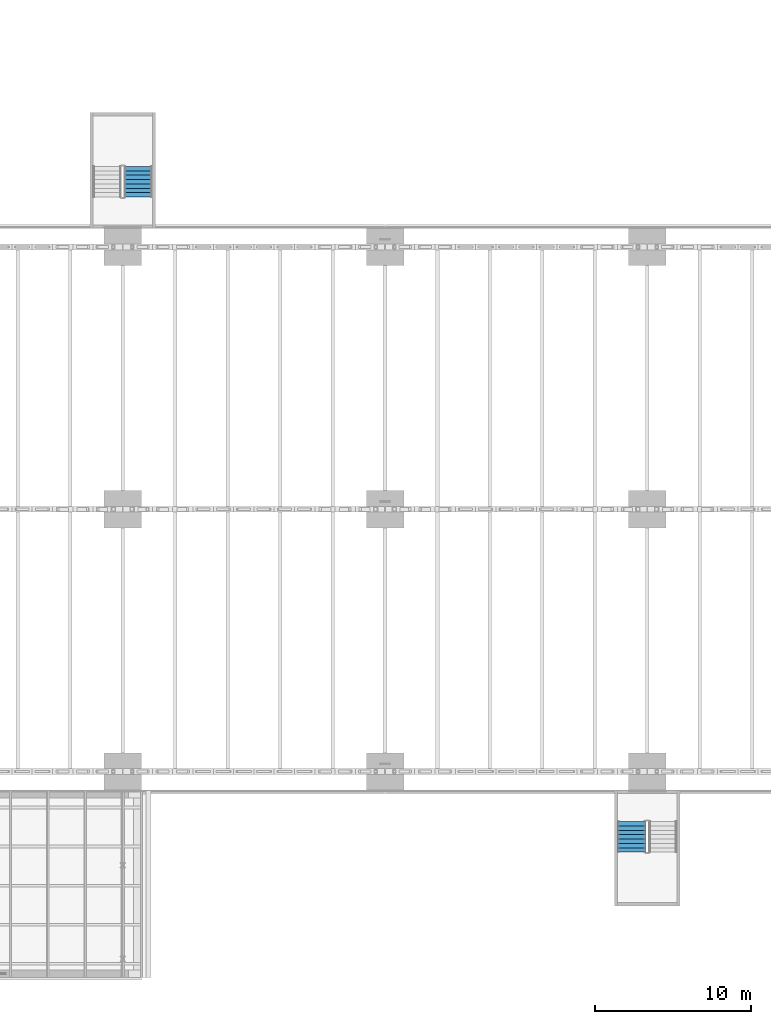
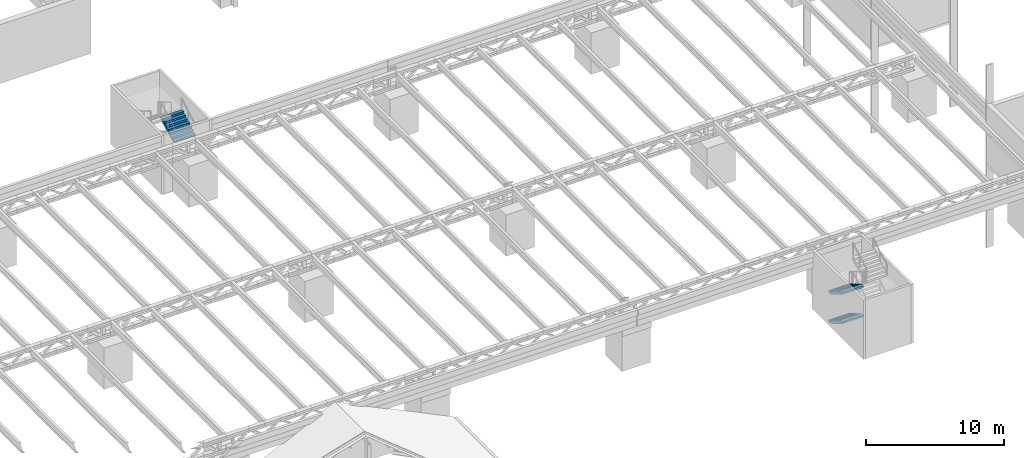
# One storey, part 75 of 93: 3 stair flights, 2 elements without a shape of their own.
"""IFC4 building model written with IfcOpenShell, lengths in metres."""

from ifc_helpers import new_model, si_unit, direction, frame, origin, place, context, subcontext, project, spatial, polygons, material, type_object, element, aggregate, save


model = new_model("IFC4")

# Units and contexts
model_context = context("Model", 3, precision=1e-05, world=origin(), true_north=direction((0.0, 1.0)))
body_context = subcontext(model_context, "Body", "Model", "MODEL_VIEW")
ifc_project = project(units=[si_unit("LENGTHUNIT", "METRE"), si_unit("AREAUNIT", "SQUARE_METRE"), si_unit("VOLUMEUNIT", "CUBIC_METRE"), si_unit("PLANEANGLEUNIT", "RADIAN"), si_unit("MASSUNIT", "GRAM", prefix="KILO")], contexts=[model_context])

# Site, building, storey
site_placement = place(None, origin())
site = spatial("IfcSite", under=ifc_project, at=site_placement, CompositionType="ELEMENT")
building_placement = place(site_placement, origin())
building = spatial("IfcBuilding", under=site, at=building_placement, Name="Verrick Yard Athletic Hall", CompositionType="ELEMENT")
storey_placement = place(building_placement, frame((0.0, 0.0, 8.800048828125)))
storey = spatial("IfcBuildingStorey", under=building, at=storey_placement, Name="L02", CompositionType="ELEMENT", Elevation=8.800048828125)

# Stair, stair flight
ifc_material = material(Name="Concrete 35 MPa", Category="concrete")
stair_type = type_object("IfcStairType", Name="Stair ST4 1800 wide 32 risers", PredefinedType="HALF_TURN_STAIR", material=ifc_material)
stair_1_placement = place(storey_placement, origin())
stair_1 = element("IfcStair", 1, at=stair_1_placement, inside=storey, type_object=stair_type, Name="North deck escape 2 stair L02", PredefinedType="HALF_TURN_STAIR")
stair_flight_type = type_object("IfcStairFlightType", Name="Stair flight SF4 1800 wide 8 risers", PredefinedType="STRAIGHT", material=ifc_material)
stair_flight_1_placement = place(storey_placement, frame((108.199951171875, 56.0, 2.599853515625), z_axis=(0.0, 0.0, 1.0), x_axis=(0.0, 1.0, 0.0)))
stair_flight_1 = element("IfcStairFlight", 2, at=stair_flight_1_placement, type_object=stair_flight_type, Name="ST4 flight 3", NumberOfRisers=8, NumberOfTreads=7, PredefinedType="STRAIGHT", RiserHeight=0.1625, TreadLength=0.28, context=body_context, shape_type="Tessellation", body=[
    polygons([(0.2986404620805121, -0.89990234375, 0.0), (1.9600000000000002, -0.89990234375, 0.9641818746854172), (1.9600000000000002, -0.89990234375, 1.1375), (1.6800000000000002, -0.89990234375, 1.1375), (1.6800000000000002, -0.89990234375, 0.9750000000000001), (1.4000000000000001, -0.89990234375, 0.9750000000000001), (1.4000000000000001, -0.89990234375, 0.8125), (1.12, -0.89990234375, 0.8125), (1.12, -0.89990234375, 0.65), (0.8400000000000001, -0.89990234375, 0.65), (0.8400000000000001, -0.89990234375, 0.48750000000000004), (0.56, -0.89990234375, 0.48750000000000004), (0.56, -0.89990234375, 0.325), (0.28, -0.89990234375, 0.325), (0.28, -0.89990234375, 0.1625), (0.0, -0.89990234375, 0.1625), (0.0, -0.89990234375, 0.0), (0.2986404620805121, -0.179931640625, 0.0), (1.9600000000000002, -0.179931640625, 0.9641818746854172), (1.9600000000000002, -0.179931640625, 1.1375), (1.6800000000000002, -0.179931640625, 1.1375), (1.6800000000000002, -0.179931640625, 0.9750000000000001), (1.4000000000000001, -0.179931640625, 0.9750000000000001), (1.4000000000000001, -0.179931640625, 0.8125), (1.12, -0.179931640625, 0.8125), (1.12, -0.179931640625, 0.65), (0.8400000000000001, -0.179931640625, 0.65), (0.8400000000000001, -0.179931640625, 0.48750000000000004), (0.56, -0.179931640625, 0.48750000000000004), (0.56, -0.179931640625, 0.325), (0.28, -0.179931640625, 0.325), (0.28, -0.179931640625, 0.1625), (0.0, -0.179931640625, 0.1625), (0.0, -0.179931640625, 0.0), (0.2986404620805121, -0.1201171875, 0.0), (1.9600000000000002, -0.1201171875, 0.9641818746854172), (1.9600000000000002, -0.1201171875, 1.1375), (1.6800000000000002, -0.1201171875, 1.1375), (1.6800000000000002, -0.1201171875, 0.9750000000000001), (1.4000000000000001, -0.1201171875, 0.9750000000000001), (1.4000000000000001, -0.1201171875, 0.8125), (1.12, -0.1201171875, 0.8125), (1.12, -0.1201171875, 0.65), (0.8400000000000001, -0.1201171875, 0.65), (0.8400000000000001, -0.1201171875, 0.48750000000000004), (0.56, -0.1201171875, 0.48750000000000004), (0.56, -0.1201171875, 0.325), (0.28, -0.1201171875, 0.325), (0.28, -0.1201171875, 0.1625), (0.0, -0.1201171875, 0.1625), (0.0, -0.1201171875, 0.0), (0.2986404620805121, -0.06005859375, 0.0), (1.9600000000000002, -0.06005859375, 0.9641818746854172), (1.9600000000000002, -0.06005859375, 1.1375), (1.6800000000000002, -0.06005859375, 1.1375), (1.6800000000000002, -0.06005859375, 0.9750000000000001), (1.4000000000000001, -0.06005859375, 0.9750000000000001), (1.4000000000000001, -0.06005859375, 0.8125), (1.12, -0.06005859375, 0.8125), (1.12, -0.06005859375, 0.65), (0.8400000000000001, -0.06005859375, 0.65), (0.8400000000000001, -0.06005859375, 0.48750000000000004), (0.56, -0.06005859375, 0.48750000000000004), (0.56, -0.06005859375, 0.325), (0.28, -0.06005859375, 0.325), (0.28, -0.06005859375, 0.1625), (0.0, -0.06005859375, 0.1625), (0.0, -0.06005859375, 0.0), (0.2986404620805121, 0.0, 0.0), (1.9600000000000002, 0.0, 0.9641818746854172), (1.9600000000000002, 0.0, 1.1375), (1.6800000000000002, 0.0, 1.1375), (1.6800000000000002, 0.0, 0.9750000000000001), (1.4000000000000001, 0.0, 0.9750000000000001), (1.4000000000000001, 0.0, 0.8125), (1.12, 0.0, 0.8125), (1.12, 0.0, 0.65), (0.8400000000000001, 0.0, 0.65), (0.8400000000000001, 0.0, 0.48750000000000004), (0.56, 0.0, 0.48750000000000004), (0.56, 0.0, 0.325), (0.28, 0.0, 0.325), (0.28, 0.0, 0.1625), (0.0, 0.0, 0.1625), (0.0, 0.0, 0.0), (0.2986404620805121, 0.06005859375, 0.0), (1.9600000000000002, 0.06005859375, 0.9641818746854172), (1.9600000000000002, 0.06005859375, 1.1375), (1.6800000000000002, 0.06005859375, 1.1375), (1.6800000000000002, 0.06005859375, 0.9750000000000001), (1.4000000000000001, 0.06005859375, 0.9750000000000001), (1.4000000000000001, 0.06005859375, 0.8125), (1.12, 0.06005859375, 0.8125), (1.12, 0.06005859375, 0.65), (0.8400000000000001, 0.06005859375, 0.65), (0.8400000000000001, 0.06005859375, 0.48750000000000004), (0.56, 0.06005859375, 0.48750000000000004), (0.56, 0.06005859375, 0.325), (0.28, 0.06005859375, 0.325), (0.28, 0.06005859375, 0.1625), (0.0, 0.06005859375, 0.1625), (0.0, 0.06005859375, 0.0), (0.2986404620805121, 0.1201171875, 0.0), (1.9600000000000002, 0.1201171875, 0.9641818746854172), (1.9600000000000002, 0.1201171875, 1.1375), (1.6800000000000002, 0.1201171875, 1.1375), (1.6800000000000002, 0.1201171875, 0.9750000000000001), (1.4000000000000001, 0.1201171875, 0.9750000000000001), (1.4000000000000001, 0.1201171875, 0.8125), (1.12, 0.1201171875, 0.8125), (1.12, 0.1201171875, 0.65), (0.8400000000000001, 0.1201171875, 0.65), (0.8400000000000001, 0.1201171875, 0.48750000000000004), (0.56, 0.1201171875, 0.48750000000000004), (0.56, 0.1201171875, 0.325), (0.28, 0.1201171875, 0.325), (0.28, 0.1201171875, 0.1625), (0.0, 0.1201171875, 0.1625), (0.0, 0.1201171875, 0.0), (0.2986404620805121, 0.179931640625, 0.0), (1.9600000000000002, 0.179931640625, 0.9641818746854172), (1.9600000000000002, 0.179931640625, 1.1375), (1.6800000000000002, 0.179931640625, 1.1375), (1.6800000000000002, 0.179931640625, 0.9750000000000001), (1.4000000000000001, 0.179931640625, 0.9750000000000001), (1.4000000000000001, 0.179931640625, 0.8125), (1.12, 0.179931640625, 0.8125), (1.12, 0.179931640625, 0.65), (0.8400000000000001, 0.179931640625, 0.65), (0.8400000000000001, 0.179931640625, 0.48750000000000004), (0.56, 0.179931640625, 0.48750000000000004), (0.56, 0.179931640625, 0.325), (0.28, 0.179931640625, 0.325), (0.28, 0.179931640625, 0.1625), (0.0, 0.179931640625, 0.1625), (0.0, 0.179931640625, 0.0), (0.2986404620805121, 0.89990234375, 0.0), (1.9600000000000002, 0.89990234375, 0.9641818746854172), (1.9600000000000002, 0.89990234375, 1.1375), (1.6800000000000002, 0.89990234375, 1.1375), (1.6800000000000002, 0.89990234375, 0.9750000000000001), (1.4000000000000001, 0.89990234375, 0.9750000000000001), (1.4000000000000001, 0.89990234375, 0.8125), (1.12, 0.89990234375, 0.8125), (1.12, 0.89990234375, 0.65), (0.8400000000000001, 0.89990234375, 0.65), (0.8400000000000001, 0.89990234375, 0.48750000000000004), (0.56, 0.89990234375, 0.48750000000000004), (0.56, 0.89990234375, 0.325), (0.28, 0.89990234375, 0.325), (0.28, 0.89990234375, 0.1625), (0.0, 0.89990234375, 0.1625), (0.0, 0.89990234375, 0.0)], [[[1, 2, 3, 4, 5, 6, 7, 8, 9, 10, 11, 12, 13, 14, 15, 16, 17]], [[153, 152, 151, 150, 149, 148, 147, 146, 145, 144, 143, 142, 141, 140, 139, 138, 137]], [[1, 18, 19, 2]], [[2, 19, 20, 3]], [[3, 20, 21, 4]], [[4, 21, 22, 5]], [[5, 22, 23, 6]], [[6, 23, 24, 7]], [[7, 24, 25, 8]], [[8, 25, 26, 9]], [[9, 26, 27, 10]], [[10, 27, 28, 11]], [[11, 28, 29, 12]], [[12, 29, 30, 13]], [[13, 30, 31, 14]], [[14, 31, 32, 15]], [[15, 32, 33, 16]], [[16, 33, 34, 17]], [[17, 34, 18, 1]], [[18, 35, 36, 19]], [[19, 36, 37, 20]], [[20, 37, 38, 21]], [[21, 38, 39, 22]], [[22, 39, 40, 23]], [[23, 40, 41, 24]], [[24, 41, 42, 25]], [[25, 42, 43, 26]], [[26, 43, 44, 27]], [[27, 44, 45, 28]], [[28, 45, 46, 29]], [[29, 46, 47, 30]], [[30, 47, 48, 31]], [[31, 48, 49, 32]], [[32, 49, 50, 33]], [[33, 50, 51, 34]], [[34, 51, 35, 18]], [[35, 52, 53, 36]], [[36, 53, 54, 37]], [[37, 54, 55, 38]], [[38, 55, 56, 39]], [[39, 56, 57, 40]], [[40, 57, 58, 41]], [[41, 58, 59, 42]], [[42, 59, 60, 43]], [[43, 60, 61, 44]], [[44, 61, 62, 45]], [[45, 62, 63, 46]], [[46, 63, 64, 47]], [[47, 64, 65, 48]], [[48, 65, 66, 49]], [[49, 66, 67, 50]], [[50, 67, 68, 51]], [[51, 68, 52, 35]], [[52, 69, 70, 53]], [[53, 70, 71, 54]], [[54, 71, 72, 55]], [[55, 72, 73, 56]], [[56, 73, 74, 57]], [[57, 74, 75, 58]], [[58, 75, 76, 59]], [[59, 76, 77, 60]], [[60, 77, 78, 61]], [[61, 78, 79, 62]], [[62, 79, 80, 63]], [[63, 80, 81, 64]], [[64, 81, 82, 65]], [[65, 82, 83, 66]], [[66, 83, 84, 67]], [[67, 84, 85, 68]], [[68, 85, 69, 52]], [[69, 86, 87, 70]], [[70, 87, 88, 71]], [[71, 88, 89, 72]], [[72, 89, 90, 73]], [[73, 90, 91, 74]], [[74, 91, 92, 75]], [[75, 92, 93, 76]], [[76, 93, 94, 77]], [[77, 94, 95, 78]], [[78, 95, 96, 79]], [[79, 96, 97, 80]], [[80, 97, 98, 81]], [[81, 98, 99, 82]], [[82, 99, 100, 83]], [[83, 100, 101, 84]], [[84, 101, 102, 85]], [[85, 102, 86, 69]], [[86, 103, 104, 87]], [[87, 104, 105, 88]], [[88, 105, 106, 89]], [[89, 106, 107, 90]], [[90, 107, 108, 91]], [[91, 108, 109, 92]], [[92, 109, 110, 93]], [[93, 110, 111, 94]], [[94, 111, 112, 95]], [[95, 112, 113, 96]], [[96, 113, 114, 97]], [[97, 114, 115, 98]], [[98, 115, 116, 99]], [[99, 116, 117, 100]], [[100, 117, 118, 101]], [[101, 118, 119, 102]], [[102, 119, 103, 86]], [[103, 120, 121, 104]], [[104, 121, 122, 105]], [[105, 122, 123, 106]], [[106, 123, 124, 107]], [[107, 124, 125, 108]], [[108, 125, 126, 109]], [[109, 126, 127, 110]], [[110, 127, 128, 111]], [[111, 128, 129, 112]], [[112, 129, 130, 113]], [[113, 130, 131, 114]], [[114, 131, 132, 115]], [[115, 132, 133, 116]], [[116, 133, 134, 117]], [[117, 134, 135, 118]], [[118, 135, 136, 119]], [[119, 136, 120, 103]], [[120, 137, 138, 121]], [[121, 138, 139, 122]], [[122, 139, 140, 123]], [[123, 140, 141, 124]], [[124, 141, 142, 125]], [[125, 142, 143, 126]], [[126, 143, 144, 127]], [[127, 144, 145, 128]], [[128, 145, 146, 129]], [[129, 146, 147, 130]], [[130, 147, 148, 131]], [[131, 148, 149, 132]], [[132, 149, 150, 133]], [[133, 150, 151, 134]], [[134, 151, 152, 135]], [[135, 152, 153, 136]], [[136, 153, 137, 120]]], closed=True),
])
aggregate(stair_1, [stair_flight_1])

# Stair, stair flights
stair_2_placement = place(storey_placement, origin())
stair_2 = element("IfcStair", 3, at=stair_2_placement, inside=storey, type_object=stair_type, Name="South deck escape 2 stair L02", PredefinedType="HALF_TURN_STAIR")
stair_flight_2_placement = place(storey_placement, frame((139.800048828125, 16.0, 0.0), z_axis=(0.0, 0.0, 1.0), x_axis=(0.0, -1.0, 0.0)))
stair_flight_2 = element("IfcStairFlight", 4, at=stair_flight_2_placement, type_object=stair_flight_type, Name="ST4 flight 1", NumberOfRisers=8, NumberOfTreads=7, PredefinedType="STRAIGHT", RiserHeight=0.1625, TreadLength=0.28, context=body_context, shape_type="Tessellation", body=[
    polygons([(0.2986404620805121, -0.89990234375, 0.0), (1.9600000000000002, -0.89990234375, 0.9641818746854172), (1.9600000000000002, -0.89990234375, 1.1375), (1.6800000000000002, -0.89990234375, 1.1375), (1.6800000000000002, -0.89990234375, 0.9750000000000001), (1.4000000000000001, -0.89990234375, 0.9750000000000001), (1.4000000000000001, -0.89990234375, 0.8125), (1.12, -0.89990234375, 0.8125), (1.12, -0.89990234375, 0.65), (0.8400000000000001, -0.89990234375, 0.65), (0.8400000000000001, -0.89990234375, 0.48750000000000004), (0.56, -0.89990234375, 0.48750000000000004), (0.56, -0.89990234375, 0.325), (0.28, -0.89990234375, 0.325), (0.28, -0.89990234375, 0.1625), (0.0, -0.89990234375, 0.1625), (0.0, -0.89990234375, 0.0), (0.2986404620805121, -0.179931640625, 0.0), (1.9600000000000002, -0.179931640625, 0.9641818746854172), (1.9600000000000002, -0.179931640625, 1.1375), (1.6800000000000002, -0.179931640625, 1.1375), (1.6800000000000002, -0.179931640625, 0.9750000000000001), (1.4000000000000001, -0.179931640625, 0.9750000000000001), (1.4000000000000001, -0.179931640625, 0.8125), (1.12, -0.179931640625, 0.8125), (1.12, -0.179931640625, 0.65), (0.8400000000000001, -0.179931640625, 0.65), (0.8400000000000001, -0.179931640625, 0.48750000000000004), (0.56, -0.179931640625, 0.48750000000000004), (0.56, -0.179931640625, 0.325), (0.28, -0.179931640625, 0.325), (0.28, -0.179931640625, 0.1625), (0.0, -0.179931640625, 0.1625), (0.0, -0.179931640625, 0.0), (0.2986404620805121, -0.1201171875, 0.0), (1.9600000000000002, -0.1201171875, 0.9641818746854172), (1.9600000000000002, -0.1201171875, 1.1375), (1.6800000000000002, -0.1201171875, 1.1375), (1.6800000000000002, -0.1201171875, 0.9750000000000001), (1.4000000000000001, -0.1201171875, 0.9750000000000001), (1.4000000000000001, -0.1201171875, 0.8125), (1.12, -0.1201171875, 0.8125), (1.12, -0.1201171875, 0.65), (0.8400000000000001, -0.1201171875, 0.65), (0.8400000000000001, -0.1201171875, 0.48750000000000004), (0.56, -0.1201171875, 0.48750000000000004), (0.56, -0.1201171875, 0.325), (0.28, -0.1201171875, 0.325), (0.28, -0.1201171875, 0.1625), (0.0, -0.1201171875, 0.1625), (0.0, -0.1201171875, 0.0), (0.2986404620805121, -0.06005859375, 0.0), (1.9600000000000002, -0.06005859375, 0.9641818746854172), (1.9600000000000002, -0.06005859375, 1.1375), (1.6800000000000002, -0.06005859375, 1.1375), (1.6800000000000002, -0.06005859375, 0.9750000000000001), (1.4000000000000001, -0.06005859375, 0.9750000000000001), (1.4000000000000001, -0.06005859375, 0.8125), (1.12, -0.06005859375, 0.8125), (1.12, -0.06005859375, 0.65), (0.8400000000000001, -0.06005859375, 0.65), (0.8400000000000001, -0.06005859375, 0.48750000000000004), (0.56, -0.06005859375, 0.48750000000000004), (0.56, -0.06005859375, 0.325), (0.28, -0.06005859375, 0.325), (0.28, -0.06005859375, 0.1625), (0.0, -0.06005859375, 0.1625), (0.0, -0.06005859375, 0.0), (0.2986404620805121, 0.0, 0.0), (1.9600000000000002, 0.0, 0.9641818746854172), (1.9600000000000002, 0.0, 1.1375), (1.6800000000000002, 0.0, 1.1375), (1.6800000000000002, 0.0, 0.9750000000000001), (1.4000000000000001, 0.0, 0.9750000000000001), (1.4000000000000001, 0.0, 0.8125), (1.12, 0.0, 0.8125), (1.12, 0.0, 0.65), (0.8400000000000001, 0.0, 0.65), (0.8400000000000001, 0.0, 0.48750000000000004), (0.56, 0.0, 0.48750000000000004), (0.56, 0.0, 0.325), (0.28, 0.0, 0.325), (0.28, 0.0, 0.1625), (0.0, 0.0, 0.1625), (0.0, 0.0, 0.0), (0.2986404620805121, 0.06005859375, 0.0), (1.9600000000000002, 0.06005859375, 0.9641818746854172), (1.9600000000000002, 0.06005859375, 1.1375), (1.6800000000000002, 0.06005859375, 1.1375), (1.6800000000000002, 0.06005859375, 0.9750000000000001), (1.4000000000000001, 0.06005859375, 0.9750000000000001), (1.4000000000000001, 0.06005859375, 0.8125), (1.12, 0.06005859375, 0.8125), (1.12, 0.06005859375, 0.65), (0.8400000000000001, 0.06005859375, 0.65), (0.8400000000000001, 0.06005859375, 0.48750000000000004), (0.56, 0.06005859375, 0.48750000000000004), (0.56, 0.06005859375, 0.325), (0.28, 0.06005859375, 0.325), (0.28, 0.06005859375, 0.1625), (0.0, 0.06005859375, 0.1625), (0.0, 0.06005859375, 0.0), (0.2986404620805121, 0.1201171875, 0.0), (1.9600000000000002, 0.1201171875, 0.9641818746854172), (1.9600000000000002, 0.1201171875, 1.1375), (1.6800000000000002, 0.1201171875, 1.1375), (1.6800000000000002, 0.1201171875, 0.9750000000000001), (1.4000000000000001, 0.1201171875, 0.9750000000000001), (1.4000000000000001, 0.1201171875, 0.8125), (1.12, 0.1201171875, 0.8125), (1.12, 0.1201171875, 0.65), (0.8400000000000001, 0.1201171875, 0.65), (0.8400000000000001, 0.1201171875, 0.48750000000000004), (0.56, 0.1201171875, 0.48750000000000004), (0.56, 0.1201171875, 0.325), (0.28, 0.1201171875, 0.325), (0.28, 0.1201171875, 0.1625), (0.0, 0.1201171875, 0.1625), (0.0, 0.1201171875, 0.0), (0.2986404620805121, 0.179931640625, 0.0), (1.9600000000000002, 0.179931640625, 0.9641818746854172), (1.9600000000000002, 0.179931640625, 1.1375), (1.6800000000000002, 0.179931640625, 1.1375), (1.6800000000000002, 0.179931640625, 0.9750000000000001), (1.4000000000000001, 0.179931640625, 0.9750000000000001), (1.4000000000000001, 0.179931640625, 0.8125), (1.12, 0.179931640625, 0.8125), (1.12, 0.179931640625, 0.65), (0.8400000000000001, 0.179931640625, 0.65), (0.8400000000000001, 0.179931640625, 0.48750000000000004), (0.56, 0.179931640625, 0.48750000000000004), (0.56, 0.179931640625, 0.325), (0.28, 0.179931640625, 0.325), (0.28, 0.179931640625, 0.1625), (0.0, 0.179931640625, 0.1625), (0.0, 0.179931640625, 0.0), (0.2986404620805121, 0.89990234375, 0.0), (1.9600000000000002, 0.89990234375, 0.9641818746854172), (1.9600000000000002, 0.89990234375, 1.1375), (1.6800000000000002, 0.89990234375, 1.1375), (1.6800000000000002, 0.89990234375, 0.9750000000000001), (1.4000000000000001, 0.89990234375, 0.9750000000000001), (1.4000000000000001, 0.89990234375, 0.8125), (1.12, 0.89990234375, 0.8125), (1.12, 0.89990234375, 0.65), (0.8400000000000001, 0.89990234375, 0.65), (0.8400000000000001, 0.89990234375, 0.48750000000000004), (0.56, 0.89990234375, 0.48750000000000004), (0.56, 0.89990234375, 0.325), (0.28, 0.89990234375, 0.325), (0.28, 0.89990234375, 0.1625), (0.0, 0.89990234375, 0.1625), (0.0, 0.89990234375, 0.0)], [[[1, 2, 3, 4, 5, 6, 7, 8, 9, 10, 11, 12, 13, 14, 15, 16, 17]], [[153, 152, 151, 150, 149, 148, 147, 146, 145, 144, 143, 142, 141, 140, 139, 138, 137]], [[1, 18, 19, 2]], [[2, 19, 20, 3]], [[3, 20, 21, 4]], [[4, 21, 22, 5]], [[5, 22, 23, 6]], [[6, 23, 24, 7]], [[7, 24, 25, 8]], [[8, 25, 26, 9]], [[9, 26, 27, 10]], [[10, 27, 28, 11]], [[11, 28, 29, 12]], [[12, 29, 30, 13]], [[13, 30, 31, 14]], [[14, 31, 32, 15]], [[15, 32, 33, 16]], [[16, 33, 34, 17]], [[17, 34, 18, 1]], [[18, 35, 36, 19]], [[19, 36, 37, 20]], [[20, 37, 38, 21]], [[21, 38, 39, 22]], [[22, 39, 40, 23]], [[23, 40, 41, 24]], [[24, 41, 42, 25]], [[25, 42, 43, 26]], [[26, 43, 44, 27]], [[27, 44, 45, 28]], [[28, 45, 46, 29]], [[29, 46, 47, 30]], [[30, 47, 48, 31]], [[31, 48, 49, 32]], [[32, 49, 50, 33]], [[33, 50, 51, 34]], [[34, 51, 35, 18]], [[35, 52, 53, 36]], [[36, 53, 54, 37]], [[37, 54, 55, 38]], [[38, 55, 56, 39]], [[39, 56, 57, 40]], [[40, 57, 58, 41]], [[41, 58, 59, 42]], [[42, 59, 60, 43]], [[43, 60, 61, 44]], [[44, 61, 62, 45]], [[45, 62, 63, 46]], [[46, 63, 64, 47]], [[47, 64, 65, 48]], [[48, 65, 66, 49]], [[49, 66, 67, 50]], [[50, 67, 68, 51]], [[51, 68, 52, 35]], [[52, 69, 70, 53]], [[53, 70, 71, 54]], [[54, 71, 72, 55]], [[55, 72, 73, 56]], [[56, 73, 74, 57]], [[57, 74, 75, 58]], [[58, 75, 76, 59]], [[59, 76, 77, 60]], [[60, 77, 78, 61]], [[61, 78, 79, 62]], [[62, 79, 80, 63]], [[63, 80, 81, 64]], [[64, 81, 82, 65]], [[65, 82, 83, 66]], [[66, 83, 84, 67]], [[67, 84, 85, 68]], [[68, 85, 69, 52]], [[69, 86, 87, 70]], [[70, 87, 88, 71]], [[71, 88, 89, 72]], [[72, 89, 90, 73]], [[73, 90, 91, 74]], [[74, 91, 92, 75]], [[75, 92, 93, 76]], [[76, 93, 94, 77]], [[77, 94, 95, 78]], [[78, 95, 96, 79]], [[79, 96, 97, 80]], [[80, 97, 98, 81]], [[81, 98, 99, 82]], [[82, 99, 100, 83]], [[83, 100, 101, 84]], [[84, 101, 102, 85]], [[85, 102, 86, 69]], [[86, 103, 104, 87]], [[87, 104, 105, 88]], [[88, 105, 106, 89]], [[89, 106, 107, 90]], [[90, 107, 108, 91]], [[91, 108, 109, 92]], [[92, 109, 110, 93]], [[93, 110, 111, 94]], [[94, 111, 112, 95]], [[95, 112, 113, 96]], [[96, 113, 114, 97]], [[97, 114, 115, 98]], [[98, 115, 116, 99]], [[99, 116, 117, 100]], [[100, 117, 118, 101]], [[101, 118, 119, 102]], [[102, 119, 103, 86]], [[103, 120, 121, 104]], [[104, 121, 122, 105]], [[105, 122, 123, 106]], [[106, 123, 124, 107]], [[107, 124, 125, 108]], [[108, 125, 126, 109]], [[109, 126, 127, 110]], [[110, 127, 128, 111]], [[111, 128, 129, 112]], [[112, 129, 130, 113]], [[113, 130, 131, 114]], [[114, 131, 132, 115]], [[115, 132, 133, 116]], [[116, 133, 134, 117]], [[117, 134, 135, 118]], [[118, 135, 136, 119]], [[119, 136, 120, 103]], [[120, 137, 138, 121]], [[121, 138, 139, 122]], [[122, 139, 140, 123]], [[123, 140, 141, 124]], [[124, 141, 142, 125]], [[125, 142, 143, 126]], [[126, 143, 144, 127]], [[127, 144, 145, 128]], [[128, 145, 146, 129]], [[129, 146, 147, 130]], [[130, 147, 148, 131]], [[131, 148, 149, 132]], [[132, 149, 150, 133]], [[133, 150, 151, 134]], [[134, 151, 152, 135]], [[135, 152, 153, 136]], [[136, 153, 137, 120]]], closed=True),
])
stair_flight_3_placement = place(storey_placement, frame((139.800048828125, 16.0, 2.599853515625), z_axis=(0.0, 0.0, 1.0), x_axis=(0.0, -1.0, 0.0)))
stair_flight_3 = element("IfcStairFlight", 5, at=stair_flight_3_placement, type_object=stair_flight_type, Name="ST4 flight 3", NumberOfRisers=8, NumberOfTreads=7, PredefinedType="STRAIGHT", RiserHeight=0.1625, TreadLength=0.28, context=body_context, shape_type="Tessellation", body=[
    polygons([(0.2986404620805121, -0.89990234375, 0.0), (1.9600000000000002, -0.89990234375, 0.9641818746854172), (1.9600000000000002, -0.89990234375, 1.1375), (1.6800000000000002, -0.89990234375, 1.1375), (1.6800000000000002, -0.89990234375, 0.9750000000000001), (1.4000000000000001, -0.89990234375, 0.9750000000000001), (1.4000000000000001, -0.89990234375, 0.8125), (1.12, -0.89990234375, 0.8125), (1.12, -0.89990234375, 0.65), (0.8400000000000001, -0.89990234375, 0.65), (0.8400000000000001, -0.89990234375, 0.48750000000000004), (0.56, -0.89990234375, 0.48750000000000004), (0.56, -0.89990234375, 0.325), (0.28, -0.89990234375, 0.325), (0.28, -0.89990234375, 0.1625), (0.0, -0.89990234375, 0.1625), (0.0, -0.89990234375, 0.0), (0.2986404620805121, -0.179931640625, 0.0), (1.9600000000000002, -0.179931640625, 0.9641818746854172), (1.9600000000000002, -0.179931640625, 1.1375), (1.6800000000000002, -0.179931640625, 1.1375), (1.6800000000000002, -0.179931640625, 0.9750000000000001), (1.4000000000000001, -0.179931640625, 0.9750000000000001), (1.4000000000000001, -0.179931640625, 0.8125), (1.12, -0.179931640625, 0.8125), (1.12, -0.179931640625, 0.65), (0.8400000000000001, -0.179931640625, 0.65), (0.8400000000000001, -0.179931640625, 0.48750000000000004), (0.56, -0.179931640625, 0.48750000000000004), (0.56, -0.179931640625, 0.325), (0.28, -0.179931640625, 0.325), (0.28, -0.179931640625, 0.1625), (0.0, -0.179931640625, 0.1625), (0.0, -0.179931640625, 0.0), (0.2986404620805121, -0.1201171875, 0.0), (1.9600000000000002, -0.1201171875, 0.9641818746854172), (1.9600000000000002, -0.1201171875, 1.1375), (1.6800000000000002, -0.1201171875, 1.1375), (1.6800000000000002, -0.1201171875, 0.9750000000000001), (1.4000000000000001, -0.1201171875, 0.9750000000000001), (1.4000000000000001, -0.1201171875, 0.8125), (1.12, -0.1201171875, 0.8125), (1.12, -0.1201171875, 0.65), (0.8400000000000001, -0.1201171875, 0.65), (0.8400000000000001, -0.1201171875, 0.48750000000000004), (0.56, -0.1201171875, 0.48750000000000004), (0.56, -0.1201171875, 0.325), (0.28, -0.1201171875, 0.325), (0.28, -0.1201171875, 0.1625), (0.0, -0.1201171875, 0.1625), (0.0, -0.1201171875, 0.0), (0.2986404620805121, -0.06005859375, 0.0), (1.9600000000000002, -0.06005859375, 0.9641818746854172), (1.9600000000000002, -0.06005859375, 1.1375), (1.6800000000000002, -0.06005859375, 1.1375), (1.6800000000000002, -0.06005859375, 0.9750000000000001), (1.4000000000000001, -0.06005859375, 0.9750000000000001), (1.4000000000000001, -0.06005859375, 0.8125), (1.12, -0.06005859375, 0.8125), (1.12, -0.06005859375, 0.65), (0.8400000000000001, -0.06005859375, 0.65), (0.8400000000000001, -0.06005859375, 0.48750000000000004), (0.56, -0.06005859375, 0.48750000000000004), (0.56, -0.06005859375, 0.325), (0.28, -0.06005859375, 0.325), (0.28, -0.06005859375, 0.1625), (0.0, -0.06005859375, 0.1625), (0.0, -0.06005859375, 0.0), (0.2986404620805121, 0.0, 0.0), (1.9600000000000002, 0.0, 0.9641818746854172), (1.9600000000000002, 0.0, 1.1375), (1.6800000000000002, 0.0, 1.1375), (1.6800000000000002, 0.0, 0.9750000000000001), (1.4000000000000001, 0.0, 0.9750000000000001), (1.4000000000000001, 0.0, 0.8125), (1.12, 0.0, 0.8125), (1.12, 0.0, 0.65), (0.8400000000000001, 0.0, 0.65), (0.8400000000000001, 0.0, 0.48750000000000004), (0.56, 0.0, 0.48750000000000004), (0.56, 0.0, 0.325), (0.28, 0.0, 0.325), (0.28, 0.0, 0.1625), (0.0, 0.0, 0.1625), (0.0, 0.0, 0.0), (0.2986404620805121, 0.06005859375, 0.0), (1.9600000000000002, 0.06005859375, 0.9641818746854172), (1.9600000000000002, 0.06005859375, 1.1375), (1.6800000000000002, 0.06005859375, 1.1375), (1.6800000000000002, 0.06005859375, 0.9750000000000001), (1.4000000000000001, 0.06005859375, 0.9750000000000001), (1.4000000000000001, 0.06005859375, 0.8125), (1.12, 0.06005859375, 0.8125), (1.12, 0.06005859375, 0.65), (0.8400000000000001, 0.06005859375, 0.65), (0.8400000000000001, 0.06005859375, 0.48750000000000004), (0.56, 0.06005859375, 0.48750000000000004), (0.56, 0.06005859375, 0.325), (0.28, 0.06005859375, 0.325), (0.28, 0.06005859375, 0.1625), (0.0, 0.06005859375, 0.1625), (0.0, 0.06005859375, 0.0), (0.2986404620805121, 0.1201171875, 0.0), (1.9600000000000002, 0.1201171875, 0.9641818746854172), (1.9600000000000002, 0.1201171875, 1.1375), (1.6800000000000002, 0.1201171875, 1.1375), (1.6800000000000002, 0.1201171875, 0.9750000000000001), (1.4000000000000001, 0.1201171875, 0.9750000000000001), (1.4000000000000001, 0.1201171875, 0.8125), (1.12, 0.1201171875, 0.8125), (1.12, 0.1201171875, 0.65), (0.8400000000000001, 0.1201171875, 0.65), (0.8400000000000001, 0.1201171875, 0.48750000000000004), (0.56, 0.1201171875, 0.48750000000000004), (0.56, 0.1201171875, 0.325), (0.28, 0.1201171875, 0.325), (0.28, 0.1201171875, 0.1625), (0.0, 0.1201171875, 0.1625), (0.0, 0.1201171875, 0.0), (0.2986404620805121, 0.179931640625, 0.0), (1.9600000000000002, 0.179931640625, 0.9641818746854172), (1.9600000000000002, 0.179931640625, 1.1375), (1.6800000000000002, 0.179931640625, 1.1375), (1.6800000000000002, 0.179931640625, 0.9750000000000001), (1.4000000000000001, 0.179931640625, 0.9750000000000001), (1.4000000000000001, 0.179931640625, 0.8125), (1.12, 0.179931640625, 0.8125), (1.12, 0.179931640625, 0.65), (0.8400000000000001, 0.179931640625, 0.65), (0.8400000000000001, 0.179931640625, 0.48750000000000004), (0.56, 0.179931640625, 0.48750000000000004), (0.56, 0.179931640625, 0.325), (0.28, 0.179931640625, 0.325), (0.28, 0.179931640625, 0.1625), (0.0, 0.179931640625, 0.1625), (0.0, 0.179931640625, 0.0), (0.2986404620805121, 0.89990234375, 0.0), (1.9600000000000002, 0.89990234375, 0.9641818746854172), (1.9600000000000002, 0.89990234375, 1.1375), (1.6800000000000002, 0.89990234375, 1.1375), (1.6800000000000002, 0.89990234375, 0.9750000000000001), (1.4000000000000001, 0.89990234375, 0.9750000000000001), (1.4000000000000001, 0.89990234375, 0.8125), (1.12, 0.89990234375, 0.8125), (1.12, 0.89990234375, 0.65), (0.8400000000000001, 0.89990234375, 0.65), (0.8400000000000001, 0.89990234375, 0.48750000000000004), (0.56, 0.89990234375, 0.48750000000000004), (0.56, 0.89990234375, 0.325), (0.28, 0.89990234375, 0.325), (0.28, 0.89990234375, 0.1625), (0.0, 0.89990234375, 0.1625), (0.0, 0.89990234375, 0.0)], [[[1, 2, 3, 4, 5, 6, 7, 8, 9, 10, 11, 12, 13, 14, 15, 16, 17]], [[153, 152, 151, 150, 149, 148, 147, 146, 145, 144, 143, 142, 141, 140, 139, 138, 137]], [[1, 18, 19, 2]], [[2, 19, 20, 3]], [[3, 20, 21, 4]], [[4, 21, 22, 5]], [[5, 22, 23, 6]], [[6, 23, 24, 7]], [[7, 24, 25, 8]], [[8, 25, 26, 9]], [[9, 26, 27, 10]], [[10, 27, 28, 11]], [[11, 28, 29, 12]], [[12, 29, 30, 13]], [[13, 30, 31, 14]], [[14, 31, 32, 15]], [[15, 32, 33, 16]], [[16, 33, 34, 17]], [[17, 34, 18, 1]], [[18, 35, 36, 19]], [[19, 36, 37, 20]], [[20, 37, 38, 21]], [[21, 38, 39, 22]], [[22, 39, 40, 23]], [[23, 40, 41, 24]], [[24, 41, 42, 25]], [[25, 42, 43, 26]], [[26, 43, 44, 27]], [[27, 44, 45, 28]], [[28, 45, 46, 29]], [[29, 46, 47, 30]], [[30, 47, 48, 31]], [[31, 48, 49, 32]], [[32, 49, 50, 33]], [[33, 50, 51, 34]], [[34, 51, 35, 18]], [[35, 52, 53, 36]], [[36, 53, 54, 37]], [[37, 54, 55, 38]], [[38, 55, 56, 39]], [[39, 56, 57, 40]], [[40, 57, 58, 41]], [[41, 58, 59, 42]], [[42, 59, 60, 43]], [[43, 60, 61, 44]], [[44, 61, 62, 45]], [[45, 62, 63, 46]], [[46, 63, 64, 47]], [[47, 64, 65, 48]], [[48, 65, 66, 49]], [[49, 66, 67, 50]], [[50, 67, 68, 51]], [[51, 68, 52, 35]], [[52, 69, 70, 53]], [[53, 70, 71, 54]], [[54, 71, 72, 55]], [[55, 72, 73, 56]], [[56, 73, 74, 57]], [[57, 74, 75, 58]], [[58, 75, 76, 59]], [[59, 76, 77, 60]], [[60, 77, 78, 61]], [[61, 78, 79, 62]], [[62, 79, 80, 63]], [[63, 80, 81, 64]], [[64, 81, 82, 65]], [[65, 82, 83, 66]], [[66, 83, 84, 67]], [[67, 84, 85, 68]], [[68, 85, 69, 52]], [[69, 86, 87, 70]], [[70, 87, 88, 71]], [[71, 88, 89, 72]], [[72, 89, 90, 73]], [[73, 90, 91, 74]], [[74, 91, 92, 75]], [[75, 92, 93, 76]], [[76, 93, 94, 77]], [[77, 94, 95, 78]], [[78, 95, 96, 79]], [[79, 96, 97, 80]], [[80, 97, 98, 81]], [[81, 98, 99, 82]], [[82, 99, 100, 83]], [[83, 100, 101, 84]], [[84, 101, 102, 85]], [[85, 102, 86, 69]], [[86, 103, 104, 87]], [[87, 104, 105, 88]], [[88, 105, 106, 89]], [[89, 106, 107, 90]], [[90, 107, 108, 91]], [[91, 108, 109, 92]], [[92, 109, 110, 93]], [[93, 110, 111, 94]], [[94, 111, 112, 95]], [[95, 112, 113, 96]], [[96, 113, 114, 97]], [[97, 114, 115, 98]], [[98, 115, 116, 99]], [[99, 116, 117, 100]], [[100, 117, 118, 101]], [[101, 118, 119, 102]], [[102, 119, 103, 86]], [[103, 120, 121, 104]], [[104, 121, 122, 105]], [[105, 122, 123, 106]], [[106, 123, 124, 107]], [[107, 124, 125, 108]], [[108, 125, 126, 109]], [[109, 126, 127, 110]], [[110, 127, 128, 111]], [[111, 128, 129, 112]], [[112, 129, 130, 113]], [[113, 130, 131, 114]], [[114, 131, 132, 115]], [[115, 132, 133, 116]], [[116, 133, 134, 117]], [[117, 134, 135, 118]], [[118, 135, 136, 119]], [[119, 136, 120, 103]], [[120, 137, 138, 121]], [[121, 138, 139, 122]], [[122, 139, 140, 123]], [[123, 140, 141, 124]], [[124, 141, 142, 125]], [[125, 142, 143, 126]], [[126, 143, 144, 127]], [[127, 144, 145, 128]], [[128, 145, 146, 129]], [[129, 146, 147, 130]], [[130, 147, 148, 131]], [[131, 148, 149, 132]], [[132, 149, 150, 133]], [[133, 150, 151, 134]], [[134, 151, 152, 135]], [[135, 152, 153, 136]], [[136, 153, 137, 120]]], closed=True),
])
aggregate(stair_2, [stair_flight_2, stair_flight_3])

save(model, "model.ifc")
